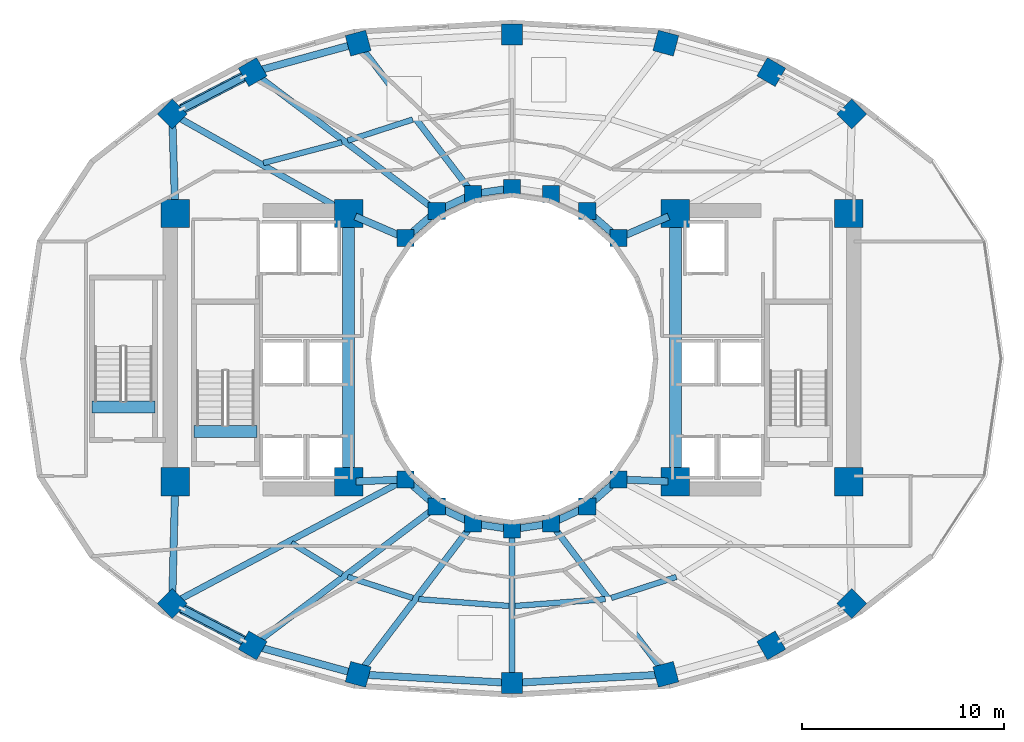
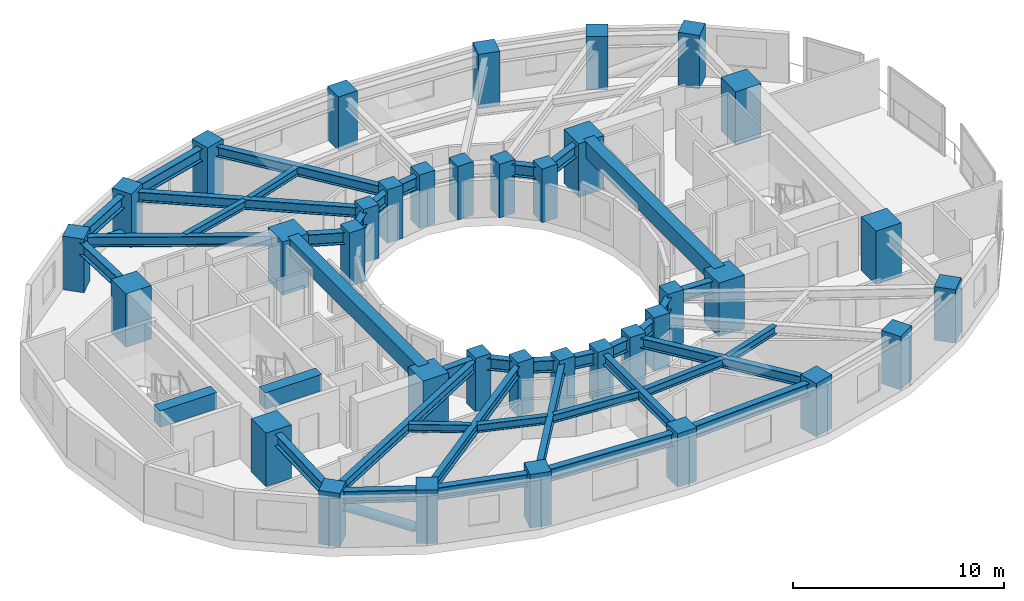
# One storey, part 1 of 13: 41 beams, 36 columns, 2 members.
"""IFC4 building model written with IfcOpenShell, lengths in metres."""

from ifc_helpers import new_model, si_unit, direction, frame, origin, origin_2d, place, context, subcontext, project, spatial, rectangle, hollow_circle, i_section, extrude, material, material_profile, profile_set, type_object, element, save


model = new_model("IFC4")

# Units and contexts
model_context = context("Model", 3, precision=1e-05, world=origin(), true_north=direction((0.0, 1.0)))
body_context = subcontext(model_context, "Body", "Model", "MODEL_VIEW")
ifc_project = project(units=[si_unit("LENGTHUNIT", "METRE"), si_unit("AREAUNIT", "SQUARE_METRE"), si_unit("VOLUMEUNIT", "CUBIC_METRE"), si_unit("PLANEANGLEUNIT", "RADIAN"), si_unit("MASSUNIT", "GRAM", prefix="KILO")], contexts=[model_context])

# Site, building, storey
site_placement = place(None, origin())
site = spatial("IfcSite", under=ifc_project, at=site_placement, CompositionType="ELEMENT")
building_placement = place(site_placement, origin())
building = spatial("IfcBuilding", under=site, at=building_placement, Name="Solvane Sanctuary Tower", CompositionType="ELEMENT")
storey_placement = place(building_placement, frame((0.0, 0.0, 85.60009765625)))
storey = spatial("IfcBuildingStorey", under=building, at=storey_placement, Name="L25", CompositionType="ELEMENT", Elevation=85.60009765625)

# Columns
ifc_material_1 = material(Name="Concrete C70/85", Category="concrete")
ifc_material_profile_1 = material_profile(ifc_material_1, rectangle(XDim=1.39990234375, YDim=1.39990234375, at=origin_2d()), Name="RC1400X1400")
ifc_profile_set_1 = profile_set([ifc_material_profile_1], Name="Concrete C70/85")
column_type_1 = type_object("IfcColumnType", Name="Column C-POD-INT RC1400X1400", PredefinedType="COLUMN", material=ifc_profile_set_1)
for number, where, z_axis, x_axis, name in (
    (1, (15.300048828125, 16.89990234375, 0.0), (0.0, 0.0, 1.0), (1.0, 0.0, 0.0), "L25 Core Corner Column CW1"),
    (2, (23.89990234375, 16.89990234375, 0.0), (0.0, 0.0, 1.0), (1.0, 0.0, 0.0), "L25 Core Corner Column CW2"),
    (3, (23.89990234375, 30.199951171875, 0.0), (0.0, 0.0, 1.0), (1.0, 0.0, 0.0), "L25 Core Corner Column CW3"),
    (4, (15.300048828125, 30.199951171875, 0.0), (0.0, 0.0, 1.0), (1.0, 0.0, 0.0), "L25 Core Corner Column CW4"),
    (5, (40.10009765625, 16.89990234375, 0.0), (0.0, 0.0, 1.0), (1.0, 0.0, 0.0), "L25 Core Corner Column CE1"),
    (6, (48.699951171875, 16.89990234375, 0.0), (0.0, 0.0, 1.0), (1.0, 0.0, 0.0), "L25 Core Corner Column CE2"),
    (7, (48.699951171875, 30.199951171875, 0.0), (0.0, 0.0, 1.0), (1.0, 0.0, 0.0), "L25 Core Corner Column CE3"),
    (8, (40.10009765625, 30.199951171875, 0.0), (0.0, 0.0, 1.0), (1.0, 0.0, 0.0), "L25 Core Corner Column CE4"),
):
    element("IfcColumn", number, at=place(storey_placement, frame(where, z_axis=z_axis, x_axis=x_axis)), inside=storey, type_object=column_type_1, Name=name, PredefinedType="COLUMN", context=body_context, shape_type="SweptSolid", body=[
        extrude(rectangle(XDim=1.39990234375, YDim=1.39990234375, at=origin_2d()), origin(), (0.0, 0.0, 1.0), 3.099853515625),
    ])
ifc_material_2 = material(Name="Concrete C60/75", Category="concrete")
ifc_material_profile_2 = material_profile(ifc_material_2, rectangle(XDim=0.85009765625, YDim=0.85009765625, at=origin_2d()), Name="RC850X850")
ifc_profile_set_2 = profile_set([ifc_material_profile_2], Name="Concrete C60/75")
column_type_2 = type_object("IfcColumnType", Name="Column C-RING-Z2 RC850X850", PredefinedType="COLUMN", material=ifc_profile_set_2)
for number, where, z_axis, x_axis, name in (
    (9, (37.27490234375, 28.982177734375, 0.0), (0.0, 0.0, 1.0), (1.0, 0.0, 0.0), "L25 Inner Light-Well Ring Column IC01"),
    (10, (35.72998046875, 30.32666015625, 0.0), (0.0, 0.0, 1.0), (1.0, 0.0, 0.0), "L25 Inner Light-Well Ring Column IC02"),
    (11, (33.930908203125, 31.171630859375, 0.0), (0.0, 0.0, 1.0), (1.0, 0.0, 0.0), "L25 Inner Light-Well Ring Column IC03"),
    (12, (32.0, 31.4599609375, 0.0), (0.0, 0.0, 1.0), (1.0, 0.0, 0.0), "L25 Inner Light-Well Ring Column IC04"),
    (13, (30.069091796875, 31.171630859375, 0.0), (0.0, 0.0, 1.0), (1.0, 0.0, 0.0), "L25 Inner Light-Well Ring Column IC05"),
    (14, (28.27001953125, 30.32666015625, 0.0), (0.0, 0.0, 1.0), (1.0, 0.0, 0.0), "L25 Inner Light-Well Ring Column IC06"),
    (15, (26.72509765625, 28.982177734375, 0.0), (0.0, 0.0, 1.0), (1.0, 0.0, 0.0), "L25 Inner Light-Well Ring Column IC07"),
    (16, (26.72509765625, 17.017822265625, 0.0), (0.0, 0.0, 1.0), (1.0, 0.0, 0.0), "L25 Inner Light-Well Ring Column IC08"),
    (17, (28.27001953125, 15.67333984375, 0.0), (0.0, 0.0, 1.0), (1.0, 0.0, 0.0), "L25 Inner Light-Well Ring Column IC09"),
    (18, (30.069091796875, 14.828369140625, 0.0), (0.0, 0.0, 1.0), (1.0, 0.0, 0.0), "L25 Inner Light-Well Ring Column IC10"),
    (19, (32.0, 14.5400390625, 0.0), (0.0, 0.0, 1.0), (1.0, 0.0, 0.0), "L25 Inner Light-Well Ring Column IC11"),
    (20, (33.930908203125, 14.828369140625, 0.0), (0.0, 0.0, 1.0), (1.0, 0.0, 0.0), "L25 Inner Light-Well Ring Column IC12"),
    (21, (35.72998046875, 15.67333984375, 0.0), (0.0, 0.0, 1.0), (1.0, 0.0, 0.0), "L25 Inner Light-Well Ring Column IC13"),
    (22, (37.27490234375, 17.017822265625, 0.0), (0.0, 0.0, 1.0), (1.0, 0.0, 0.0), "L25 Inner Light-Well Ring Column IC14"),
):
    element("IfcColumn", number, at=place(storey_placement, frame(where, z_axis=z_axis, x_axis=x_axis)), inside=storey, type_object=column_type_2, Name=name, PredefinedType="COLUMN", context=body_context, shape_type="SweptSolid", body=[
        extrude(rectangle(XDim=0.85009765625, YDim=0.85009765625, at=origin_2d()), origin(), (0.0, 0.0, 1.0), 3.099853515625),
    ])
ifc_material_profile_3 = material_profile(ifc_material_2, rectangle(XDim=1.050048828125, YDim=1.050048828125, at=origin_2d()), Name="RC1050X1050")
ifc_profile_set_3 = profile_set([ifc_material_profile_3], Name="Concrete C60/75")
column_type_3 = type_object("IfcColumnType", Name="Column C-TUBE-Z2 RC1050X1050", PredefinedType="COLUMN", material=ifc_profile_set_3)
for number, where, z_axis, x_axis, name in (
    (23, (48.85302734375, 35.13818359375, 0.0), (0.0, 0.0, 1.0), (0.707106781187, 0.707106781187, 0.0), "L25 Perimeter Tube Column TC01"),
    (24, (44.8583984375, 37.217529296875, 0.0), (0.0, 0.0, 1.0), (0.5, 0.866025403784, 0.0), "L25 Perimeter Tube Column TC02"),
    (25, (39.62939453125, 38.652099609375, 0.0), (0.0, 0.0, 1.0), (0.258819045103, 0.965925826289, 0.0), "L25 Perimeter Tube Column TC03"),
    (26, (32.0, 39.080078125, 0.0), (0.0, 0.0, 1.0), (0.0, 1.0, 0.0), "L25 Perimeter Tube Column TC04"),
    (27, (24.37060546875, 38.652099609375, 0.0), (0.0, 0.0, 1.0), (-0.258819045103, 0.965925826289, 0.0), "L25 Perimeter Tube Column TC05"),
    (28, (19.1416015625, 37.217529296875, 0.0), (0.0, 0.0, 1.0), (-0.5, 0.866025403784, 0.0), "L25 Perimeter Tube Column TC06"),
    (29, (15.14697265625, 35.13818359375, 0.0), (0.0, 0.0, 1.0), (-0.707106781187, 0.707106781187, 0.0), "L25 Perimeter Tube Column TC07"),
    (30, (15.14697265625, 10.86181640625, 0.0), (0.0, 0.0, 1.0), (-0.707106781187, -0.707106781187, 0.0), "L25 Perimeter Tube Column TC08"),
    (31, (19.1416015625, 8.782470703125, 0.0), (0.0, 0.0, 1.0), (-0.5, -0.866025403784, 0.0), "L25 Perimeter Tube Column TC09"),
    (32, (24.37060546875, 7.347900390625, 0.0), (0.0, 0.0, 1.0), (-0.258819045103, -0.965925826289, 0.0), "L25 Perimeter Tube Column TC10"),
    (33, (32.0, 6.919921875, 0.0), (0.0, 0.0, 1.0), (0.0, -1.0, 0.0), "L25 Perimeter Tube Column TC11"),
    (34, (39.62939453125, 7.347900390625, 0.0), (0.0, 0.0, 1.0), (0.258819045103, -0.965925826289, 0.0), "L25 Perimeter Tube Column TC12"),
    (35, (44.8583984375, 8.782470703125, 0.0), (0.0, 0.0, 1.0), (0.5, -0.866025403784, 0.0), "L25 Perimeter Tube Column TC13"),
    (36, (48.85302734375, 10.86181640625, 0.0), (0.0, 0.0, 1.0), (0.707106781187, -0.707106781187, 0.0), "L25 Perimeter Tube Column TC14"),
):
    element("IfcColumn", number, at=place(storey_placement, frame(where, z_axis=z_axis, x_axis=x_axis)), inside=storey, type_object=column_type_3, Name=name, PredefinedType="COLUMN", context=body_context, shape_type="SweptSolid", body=[
        extrude(rectangle(XDim=1.050048828125, YDim=1.050048828125, at=origin_2d()), origin(), (0.0, 0.0, 1.0), 3.099853515625),
    ])

# Beams
ifc_material_profile_4 = material_profile(ifc_material_1, rectangle(XDim=0.60009765625, YDim=0.949951171875, at=origin_2d()), Name="RC600X950")
ifc_profile_set_4 = profile_set([ifc_material_profile_4], Name="Concrete C70/85")
beam_type_1 = type_object("IfcBeamType", Name="Beam B-COUPLE RC600X950", PredefinedType="LINTEL", material=ifc_profile_set_4)
for number, where, z_axis, x_axis, name in (
    (37, (23.89990234375, 17.35009765625, 2.625), (0.0, 1.0, 0.0), (-1.0, 0.0, 0.0), "L25 West Core Coupling Lintel"),
    (38, (40.10009765625, 17.35009765625, 2.625), (0.0, 1.0, 0.0), (-1.0, 0.0, 0.0), "L25 East Core Coupling Lintel"),
):
    element("IfcBeam", number, at=place(storey_placement, frame(where, z_axis=z_axis, x_axis=x_axis)), inside=storey, type_object=beam_type_1, Name=name, PredefinedType="LINTEL", context=body_context, shape_type="SweptSolid", body=[
        extrude(rectangle(XDim=0.60009765625, YDim=0.949951171875, at=origin_2d()), origin(), (0.0, 0.0, 1.0), 12.39990234375),
    ])
for number, where, z_axis, x_axis, name in (
    (39, (16.22998046875, 19.399169921875, 2.625), (1.0, 0.0, 0.0), (0.0, 1.0, 0.0), "L25 ST-1 Stair Floor Landing Trimmer"),
    (40, (11.169921875, 20.59912109375, 2.625), (1.0, 0.0, 0.0), (0.0, 1.0, 0.0), "L25 ST-3 Stair Floor Landing Trimmer"),
):
    element("IfcBeam", number, at=place(storey_placement, frame(where, z_axis=z_axis, x_axis=x_axis)), inside=storey, type_object=beam_type_1, Name=name, PredefinedType="LINTEL", context=body_context, shape_type="SweptSolid", body=[
        extrude(rectangle(XDim=0.60009765625, YDim=0.949951171875, at=origin_2d()), origin(), (0.0, 0.0, 1.0), 3.1201171875),
    ])
ifc_material_3 = material(Name="Steel ASTM A992 Grade 50", Category="steel")
ifc_material_profile_5 = material_profile(ifc_material_3, i_section(OverallWidth=0.31494140625, OverallDepth=0.575927734375, WebThickness=0.01513671875, FlangeThickness=0.0244140625, FilletRadius=0.014892578125, at=origin_2d()), Name="W21X122")
ifc_profile_set_5 = profile_set([ifc_material_profile_5], Name="Steel ASTM A992 Grade 50")
beam_type_2 = type_object("IfcBeamType", Name="Beam B-RAD-Z2 W21X122", PredefinedType="BEAM", material=ifc_profile_set_5)
beam_1_placement = place(storey_placement, frame((29.8994140625, 31.394287109375, 2.58984375), z_axis=(-0.605972515369, 0.795485581653, 0.0), x_axis=(-0.795485581653, -0.605972515369, 0.0)))
element("IfcBeam", 41, at=beam_1_placement, inside=storey, type_object=beam_type_2, Name="L25 Radial Composite Floor Beam 05", PredefinedType="BEAM", context=body_context, shape_type="SweptSolid", body=[
    extrude(i_section(OverallWidth=0.31494140625, OverallDepth=0.575927734375, WebThickness=0.01513671875, FlangeThickness=0.0244140625, FilletRadius=0.014892578125, at=origin_2d()), origin(), (0.0, 0.0, 1.0), 8.84375),
])
beam_2_placement = place(storey_placement, frame((28.04638671875, 30.495361328125, 2.58984375), z_axis=(-0.798116040134, 0.602503764703, 0.0), x_axis=(-0.602503764703, -0.798116040134, 0.0)))
element("IfcBeam", 42, at=beam_2_placement, inside=storey, type_object=beam_type_2, Name="L25 Radial Composite Floor Beam 06", PredefinedType="BEAM", context=body_context, shape_type="SweptSolid", body=[
    extrude(i_section(OverallWidth=0.31494140625, OverallDepth=0.575927734375, WebThickness=0.01513671875, FlangeThickness=0.0244140625, FilletRadius=0.014892578125, at=origin_2d()), origin(), (0.0, 0.0, 1.0), 10.876953125),
])
beam_3_placement = place(storey_placement, frame((23.58642578125, 30.376953125, 2.58984375), z_axis=(-0.870960247151, 0.491353485673, 0.0), x_axis=(-0.491353485673, -0.870960247151, 0.0)))
element("IfcBeam", 43, at=beam_3_placement, inside=storey, type_object=beam_type_2, Name="L25 Radial Composite Floor Beam 07", PredefinedType="BEAM", context=body_context, shape_type="SweptSolid", body=[
    extrude(i_section(OverallWidth=0.31494140625, OverallDepth=0.575927734375, WebThickness=0.01513671875, FlangeThickness=0.0244140625, FilletRadius=0.014892578125, at=origin_2d()), origin(), (0.0, 0.0, 1.0), 9.409912109375),
])
beam_4_placement = place(storey_placement, frame((26.477783203125, 16.886474609375, 2.58984375), z_axis=(-0.882951984843, -0.469463302572, 0.0), x_axis=(0.469463302572, -0.882951984843, 0.0)))
element("IfcBeam", 44, at=beam_4_placement, inside=storey, type_object=beam_type_2, Name="L25 Radial Composite Floor Beam 08", PredefinedType="BEAM", context=body_context, shape_type="SweptSolid", body=[
    extrude(i_section(OverallWidth=0.31494140625, OverallDepth=0.575927734375, WebThickness=0.01513671875, FlangeThickness=0.0244140625, FilletRadius=0.014892578125, at=origin_2d()), origin(), (0.0, 0.0, 1.0), 12.552734375),
])
beam_5_placement = place(storey_placement, frame((28.04638671875, 15.504638671875, 2.58984375), z_axis=(-0.798116040134, -0.602503764703, 0.0), x_axis=(0.602503764703, -0.798116040134, 0.0)))
element("IfcBeam", 45, at=beam_5_placement, inside=storey, type_object=beam_type_2, Name="L25 Radial Composite Floor Beam 09", PredefinedType="BEAM", context=body_context, shape_type="SweptSolid", body=[
    extrude(i_section(OverallWidth=0.31494140625, OverallDepth=0.575927734375, WebThickness=0.01513671875, FlangeThickness=0.0244140625, FilletRadius=0.014892578125, at=origin_2d()), origin(), (0.0, 0.0, 1.0), 10.876953125),
])
beam_6_placement = place(storey_placement, frame((29.8994140625, 14.605712890625, 2.58984375), z_axis=(-0.605972515369, -0.795485581653, 0.0), x_axis=(0.795485581653, -0.605972515369, 0.0)))
element("IfcBeam", 46, at=beam_6_placement, inside=storey, type_object=beam_type_2, Name="L25 Radial Composite Floor Beam 10", PredefinedType="BEAM", context=body_context, shape_type="SweptSolid", body=[
    extrude(i_section(OverallWidth=0.31494140625, OverallDepth=0.575927734375, WebThickness=0.01513671875, FlangeThickness=0.0244140625, FilletRadius=0.014892578125, at=origin_2d()), origin(), (0.0, 0.0, 1.0), 8.84375),
])
beam_7_placement = place(storey_placement, frame((32.0, 14.260009765625, 2.58984375), z_axis=(0.0, -1.0, 0.0), x_axis=(1.0, 0.0, 0.0)))
element("IfcBeam", 47, at=beam_7_placement, inside=storey, type_object=beam_type_2, Name="L25 Radial Composite Floor Beam 11", PredefinedType="BEAM", context=body_context, shape_type="SweptSolid", body=[
    extrude(i_section(OverallWidth=0.31494140625, OverallDepth=0.575927734375, WebThickness=0.01513671875, FlangeThickness=0.0244140625, FilletRadius=0.014892578125, at=origin_2d()), origin(), (0.0, 0.0, 1.0), 7.06005859375),
])
beam_8_placement = place(storey_placement, frame((34.1005859375, 14.605712890625, 2.58984375), z_axis=(0.605972515369, -0.795485581653, 0.0), x_axis=(0.795485581653, 0.605972515369, 0.0)))
element("IfcBeam", 48, at=beam_8_placement, inside=storey, type_object=beam_type_2, Name="L25 Radial Composite Floor Beam 12", PredefinedType="BEAM", context=body_context, shape_type="SweptSolid", body=[
    extrude(i_section(OverallWidth=0.31494140625, OverallDepth=0.575927734375, WebThickness=0.01513671875, FlangeThickness=0.0244140625, FilletRadius=0.014892578125, at=origin_2d()), origin(), (0.0, 0.0, 1.0), 8.84375),
])
ifc_material_profile_6 = material_profile(ifc_material_3, i_section(OverallWidth=0.35498046875, OverallDepth=0.695068359375, WebThickness=0.015380859375, FlangeThickness=0.02490234375, FilletRadius=0.01806640625, at=origin_2d()), Name="W27X146")
ifc_profile_set_6 = profile_set([ifc_material_profile_6], Name="Steel ASTM A992 Grade 50")
beam_type_3 = type_object("IfcBeamType", Name="Beam B-RING-IN1 W27X146", PredefinedType="BEAM", material=ifc_profile_set_6)
beam_9_placement = place(storey_placement, frame((24.230712890625, 30.0576171875, 2.530517578125), z_axis=(0.918261456479, -0.3959746173, 0.0), x_axis=(0.3959746173, 0.918261456479, 0.0)))
element("IfcBeam", 49, at=beam_9_placement, inside=storey, type_object=beam_type_3, Name="L25 Inner Light-Well Ring Beam CW3-IC07", PredefinedType="BEAM", context=body_context, shape_type="SweptSolid", body=[
    extrude(i_section(OverallWidth=0.35498046875, OverallDepth=0.695068359375, WebThickness=0.015380859375, FlangeThickness=0.02490234375, FilletRadius=0.01806640625, at=origin_2d()), origin(), (0.0, 0.0, 1.0), 2.3212890625),
])
beam_10_placement = place(storey_placement, frame((27.02294921875, 29.241455078125, 2.530517578125), z_axis=(0.754317177099, 0.656510164684, 0.0), x_axis=(-0.656510164684, 0.754317177099, 0.0)))
element("IfcBeam", 50, at=beam_10_placement, inside=storey, type_object=beam_type_3, Name="L25 Inner Light-Well Ring Beam IC07-IC06", PredefinedType="BEAM", context=body_context, shape_type="SweptSolid", body=[
    extrude(i_section(OverallWidth=0.35498046875, OverallDepth=0.695068359375, WebThickness=0.015380859375, FlangeThickness=0.02490234375, FilletRadius=0.01806640625, at=origin_2d()), origin(), (0.0, 0.0, 1.0), 1.258056640625),
])
beam_11_placement = place(storey_placement, frame((28.62744140625, 30.494384765625, 2.530517578125), z_axis=(0.905044882818, 0.425316070804, 0.0), x_axis=(-0.425316070804, 0.905044882818, 0.0)))
element("IfcBeam", 51, at=beam_11_placement, inside=storey, type_object=beam_type_3, Name="L25 Inner Light-Well Ring Beam IC06-IC05", PredefinedType="BEAM", context=body_context, shape_type="SweptSolid", body=[
    extrude(i_section(OverallWidth=0.35498046875, OverallDepth=0.695068359375, WebThickness=0.015380859375, FlangeThickness=0.02490234375, FilletRadius=0.01806640625, at=origin_2d()), origin(), (0.0, 0.0, 1.0), 1.197998046875),
])
beam_12_placement = place(storey_placement, frame((30.4599609375, 31.22998046875, 2.530517578125), z_axis=(0.989034751611, 0.147682971619, 0.0), x_axis=(-0.147682971619, 0.989034751611, 0.0)))
element("IfcBeam", 52, at=beam_12_placement, inside=storey, type_object=beam_type_3, Name="L25 Inner Light-Well Ring Beam IC05-IC04", PredefinedType="BEAM", context=body_context, shape_type="SweptSolid", body=[
    extrude(i_section(OverallWidth=0.35498046875, OverallDepth=0.695068359375, WebThickness=0.015380859375, FlangeThickness=0.02490234375, FilletRadius=0.01806640625, at=origin_2d()), origin(), (0.0, 0.0, 1.0), 1.162109375),
])
beam_13_placement = place(storey_placement, frame((36.028076171875, 30.0673828125, 2.530517578125), z_axis=(0.754317177099, -0.656510164684, 0.0), x_axis=(0.656510164684, 0.754317177099, 0.0)))
element("IfcBeam", 53, at=beam_13_placement, inside=storey, type_object=beam_type_3, Name="L25 Inner Light-Well Ring Beam IC02-IC01", PredefinedType="BEAM", context=body_context, shape_type="SweptSolid", body=[
    extrude(i_section(OverallWidth=0.35498046875, OverallDepth=0.695068359375, WebThickness=0.015380859375, FlangeThickness=0.02490234375, FilletRadius=0.01806640625, at=origin_2d()), origin(), (0.0, 0.0, 1.0), 1.258056640625),
])
beam_14_placement = place(storey_placement, frame((37.6376953125, 29.138427734375, 2.530517578125), z_axis=(0.918261456479, 0.3959746173, 0.0), x_axis=(-0.3959746173, 0.918261456479, 0.0)))
element("IfcBeam", 54, at=beam_14_placement, inside=storey, type_object=beam_type_3, Name="L25 Inner Light-Well Ring Beam IC01-CE4", PredefinedType="BEAM", context=body_context, shape_type="SweptSolid", body=[
    extrude(i_section(OverallWidth=0.35498046875, OverallDepth=0.695068359375, WebThickness=0.015380859375, FlangeThickness=0.02490234375, FilletRadius=0.01806640625, at=origin_2d()), origin(), (0.0, 0.0, 1.0), 2.3212890625),
])
beam_15_placement = place(storey_placement, frame((24.259765625, 16.9150390625, 2.530517578125), z_axis=(0.999130007788, 0.041704047018, 0.0), x_axis=(-0.041704047018, 0.999130007788, 0.0)))
element("IfcBeam", 55, at=beam_15_placement, inside=storey, type_object=beam_type_3, Name="L25 Inner Light-Well Ring Beam CW2-IC08", PredefinedType="BEAM", context=body_context, shape_type="SweptSolid", body=[
    extrude(i_section(OverallWidth=0.35498046875, OverallDepth=0.695068359375, WebThickness=0.015380859375, FlangeThickness=0.02490234375, FilletRadius=0.01806640625, at=origin_2d()), origin(), (0.0, 0.0, 1.0), 2.072265625),
])
beam_16_placement = place(storey_placement, frame((27.02294921875, 16.758544921875, 2.530517578125), z_axis=(0.754317177099, -0.656510164684, 0.0), x_axis=(0.656510164684, 0.754317177099, 0.0)))
element("IfcBeam", 56, at=beam_16_placement, inside=storey, type_object=beam_type_3, Name="L25 Inner Light-Well Ring Beam IC08-IC09", PredefinedType="BEAM", context=body_context, shape_type="SweptSolid", body=[
    extrude(i_section(OverallWidth=0.35498046875, OverallDepth=0.695068359375, WebThickness=0.015380859375, FlangeThickness=0.02490234375, FilletRadius=0.01806640625, at=origin_2d()), origin(), (0.0, 0.0, 1.0), 1.258056640625),
])
beam_17_placement = place(storey_placement, frame((28.62744140625, 15.505615234375, 2.530517578125), z_axis=(0.905044882818, -0.425316070804, 0.0), x_axis=(0.425316070804, 0.905044882818, 0.0)))
element("IfcBeam", 57, at=beam_17_placement, inside=storey, type_object=beam_type_3, Name="L25 Inner Light-Well Ring Beam IC09-IC10", PredefinedType="BEAM", context=body_context, shape_type="SweptSolid", body=[
    extrude(i_section(OverallWidth=0.35498046875, OverallDepth=0.695068359375, WebThickness=0.015380859375, FlangeThickness=0.02490234375, FilletRadius=0.01806640625, at=origin_2d()), origin(), (0.0, 0.0, 1.0), 1.197998046875),
])
for number, where, z_axis, x_axis, name in (
    (58, (30.4599609375, 14.77001953125, 2.530517578125), (0.989034751611, -0.147682971619, 0.0), (0.147682971619, 0.989034751611, 0.0), "L25 Inner Light-Well Ring Beam IC10-IC11"),
    (59, (32.390625, 14.598388671875, 2.530517578125), (0.989034751611, 0.147682971619, 0.0), (-0.147682971619, 0.989034751611, 0.0), "L25 Inner Light-Well Ring Beam IC11-IC12"),
):
    element("IfcBeam", number, at=place(storey_placement, frame(where, z_axis=z_axis, x_axis=x_axis)), inside=storey, type_object=beam_type_3, Name=name, PredefinedType="BEAM", context=body_context, shape_type="SweptSolid", body=[
        extrude(i_section(OverallWidth=0.35498046875, OverallDepth=0.695068359375, WebThickness=0.015380859375, FlangeThickness=0.02490234375, FilletRadius=0.01806640625, at=origin_2d()), origin(), (0.0, 0.0, 1.0), 1.162109375),
    ])
beam_18_placement = place(storey_placement, frame((34.288330078125, 14.99609375, 2.530517578125), z_axis=(0.905044882818, 0.425316070804, 0.0), x_axis=(-0.425316070804, 0.905044882818, 0.0)))
element("IfcBeam", 60, at=beam_18_placement, inside=storey, type_object=beam_type_3, Name="L25 Inner Light-Well Ring Beam IC12-IC13", PredefinedType="BEAM", context=body_context, shape_type="SweptSolid", body=[
    extrude(i_section(OverallWidth=0.35498046875, OverallDepth=0.695068359375, WebThickness=0.015380859375, FlangeThickness=0.02490234375, FilletRadius=0.01806640625, at=origin_2d()), origin(), (0.0, 0.0, 1.0), 1.197998046875),
])
beam_19_placement = place(storey_placement, frame((36.028076171875, 15.9326171875, 2.530517578125), z_axis=(0.754317177099, 0.656510164684, 0.0), x_axis=(-0.656510164684, 0.754317177099, 0.0)))
element("IfcBeam", 61, at=beam_19_placement, inside=storey, type_object=beam_type_3, Name="L25 Inner Light-Well Ring Beam IC13-IC14", PredefinedType="BEAM", context=body_context, shape_type="SweptSolid", body=[
    extrude(i_section(OverallWidth=0.35498046875, OverallDepth=0.695068359375, WebThickness=0.015380859375, FlangeThickness=0.02490234375, FilletRadius=0.01806640625, at=origin_2d()), origin(), (0.0, 0.0, 1.0), 1.258056640625),
])
beam_20_placement = place(storey_placement, frame((37.669677734375, 17.00146484375, 2.530517578125), z_axis=(0.999130007788, -0.041704047018, 0.0), x_axis=(0.041704047018, 0.999130007788, 0.0)))
element("IfcBeam", 62, at=beam_20_placement, inside=storey, type_object=beam_type_3, Name="L25 Inner Light-Well Ring Beam IC14-CE1", PredefinedType="BEAM", context=body_context, shape_type="SweptSolid", body=[
    extrude(i_section(OverallWidth=0.35498046875, OverallDepth=0.695068359375, WebThickness=0.015380859375, FlangeThickness=0.02490234375, FilletRadius=0.01806640625, at=origin_2d()), origin(), (0.0, 0.0, 1.0), 2.072265625),
])
ifc_material_profile_7 = material_profile(ifc_material_3, i_section(OverallWidth=0.280029296875, OverallDepth=0.462890625, WebThickness=0.0107421875, FlangeThickness=0.017333984375, FilletRadius=0.013916015625, at=origin_2d()), Name="W18X76")
ifc_profile_set_7 = profile_set([ifc_material_profile_7], Name="Steel ASTM A992 Grade 50")
beam_type_4 = type_object("IfcBeamType", Name="Beam B-SEC-JOIST W18X76", PredefinedType="JOIST", material=ifc_profile_set_7)
beam_21_placement = place(storey_placement, frame((19.6708984375, 32.7080078125, 2.646484375), z_axis=(0.966943832831, 0.2549894589, 0.0), x_axis=(-0.2549894589, 0.966943832831, 0.0)))
element("IfcBeam", 63, at=beam_21_placement, inside=storey, type_object=beam_type_4, Name="L25 Secondary Circumferential Joist 07-06", PredefinedType="JOIST", context=body_context, shape_type="SweptSolid", body=[
    extrude(i_section(OverallWidth=0.280029296875, OverallDepth=0.462890625, WebThickness=0.0107421875, FlangeThickness=0.017333984375, FilletRadius=0.013916015625, at=origin_2d()), origin(), (0.0, 0.0, 1.0), 4.020263671875),
])
beam_22_placement = place(storey_placement, frame((23.850830078125, 33.819091796875, 2.646484375), z_axis=(0.951216534175, 0.308524075416, 0.0), x_axis=(-0.308524075416, 0.951216534175, 0.0)))
element("IfcBeam", 64, at=beam_22_placement, inside=storey, type_object=beam_type_4, Name="L25 Secondary Circumferential Joist 06-05", PredefinedType="JOIST", context=body_context, shape_type="SweptSolid", body=[
    extrude(i_section(OverallWidth=0.280029296875, OverallDepth=0.462890625, WebThickness=0.0107421875, FlangeThickness=0.017333984375, FilletRadius=0.013916015625, at=origin_2d()), origin(), (0.0, 0.0, 1.0), 3.38916015625),
])
beam_23_placement = place(storey_placement, frame((21.065673828125, 13.859619140625, 2.646484375), z_axis=(0.85065981691, -0.525716535687, 0.0), x_axis=(0.525716535687, 0.85065981691, 0.0)))
element("IfcBeam", 65, at=beam_23_placement, inside=storey, type_object=beam_type_4, Name="L25 Secondary Circumferential Joist 08-09", PredefinedType="JOIST", context=body_context, shape_type="SweptSolid", body=[
    extrude(i_section(OverallWidth=0.280029296875, OverallDepth=0.462890625, WebThickness=0.0107421875, FlangeThickness=0.017333984375, FilletRadius=0.013916015625, at=origin_2d()), origin(), (0.0, 0.0, 1.0), 2.951171875),
])
beam_24_placement = place(storey_placement, frame((23.850830078125, 12.180908203125, 2.646484375), z_axis=(0.951216534175, -0.308524075416, 0.0), x_axis=(0.308524075416, 0.951216534175, 0.0)))
element("IfcBeam", 66, at=beam_24_placement, inside=storey, type_object=beam_type_4, Name="L25 Secondary Circumferential Joist 09-10", PredefinedType="JOIST", context=body_context, shape_type="SweptSolid", body=[
    extrude(i_section(OverallWidth=0.280029296875, OverallDepth=0.462890625, WebThickness=0.0107421875, FlangeThickness=0.017333984375, FilletRadius=0.013916015625, at=origin_2d()), origin(), (0.0, 0.0, 1.0), 3.38916015625),
])
for number, where, z_axis, x_axis, name in (
    (67, (27.3720703125, 11.07666015625, 2.646484375), (0.997207316227, -0.074683120339, 0.0), (0.074683120339, 0.997207316227, 0.0), "L25 Secondary Circumferential Joist 10-11"),
    (68, (32.152099609375, 10.741455078125, 2.646484375), (0.997207316227, 0.074683120339, 0.0), (-0.074683120339, 0.997207316227, 0.0), "L25 Secondary Circumferential Joist 11-12"),
):
    element("IfcBeam", number, at=place(storey_placement, frame(where, z_axis=z_axis, x_axis=x_axis)), inside=storey, type_object=beam_type_4, Name=name, PredefinedType="JOIST", context=body_context, shape_type="SweptSolid", body=[
        extrude(i_section(OverallWidth=0.280029296875, OverallDepth=0.462890625, WebThickness=0.0107421875, FlangeThickness=0.017333984375, FilletRadius=0.013916015625, at=origin_2d()), origin(), (0.0, 0.0, 1.0), 4.48828125),
    ])
beam_25_placement = place(storey_placement, frame((36.92529296875, 11.13525390625, 2.646484375), z_axis=(0.951216534175, 0.308524075416, 0.0), x_axis=(-0.308524075416, 0.951216534175, 0.0)))
element("IfcBeam", 69, at=beam_25_placement, inside=storey, type_object=beam_type_4, Name="L25 Secondary Circumferential Joist 12-13", PredefinedType="JOIST", context=body_context, shape_type="SweptSolid", body=[
    extrude(i_section(OverallWidth=0.280029296875, OverallDepth=0.462890625, WebThickness=0.0107421875, FlangeThickness=0.017333984375, FilletRadius=0.013916015625, at=origin_2d()), origin(), (0.0, 0.0, 1.0), 3.38916015625),
])
ifc_material_profile_8 = material_profile(ifc_material_3, i_section(OverallWidth=0.35791015625, OverallDepth=0.7060546875, WebThickness=0.018310546875, FlangeThickness=0.0302734375, FilletRadius=0.01806640625, at=origin_2d()), Name="W27X178")
ifc_profile_set_8 = profile_set([ifc_material_profile_8], Name="Steel ASTM A992 Grade 50")
beam_type_5 = type_object("IfcBeamType", Name="Beam B-SPAND-Z2 W27X178", PredefinedType="SPANDREL", material=ifc_profile_set_8)
beam_26_placement = place(storey_placement, frame((15.291259765625, 30.47998046875, 2.52490234375), z_axis=(-0.03093371985, 0.999521437977, 0.0), x_axis=(-0.999521437977, -0.03093371985, 0.0)))
element("IfcBeam", 70, at=beam_26_placement, inside=storey, type_object=beam_type_5, Name="L25 Perimeter Spandrel Beam CW4-TC07", PredefinedType="SPANDREL", context=body_context, shape_type="SweptSolid", body=[
    extrude(i_section(OverallWidth=0.35791015625, OverallDepth=0.7060546875, WebThickness=0.018310546875, FlangeThickness=0.0302734375, FilletRadius=0.01806640625, at=origin_2d()), origin(), (0.0, 0.0, 1.0), 4.38037109375),
])
beam_27_placement = place(storey_placement, frame((15.3955078125, 35.267333984375, 2.52490234375), z_axis=(0.887014995188, 0.461740618002, 0.0), x_axis=(-0.461740618002, 0.887014995188, 0.0)))
element("IfcBeam", 71, at=beam_27_placement, inside=storey, type_object=beam_type_5, Name="L25 Perimeter Spandrel Beam TC07-TC06", PredefinedType="SPANDREL", context=body_context, shape_type="SweptSolid", body=[
    extrude(i_section(OverallWidth=0.35791015625, OverallDepth=0.7060546875, WebThickness=0.018310546875, FlangeThickness=0.0302734375, FilletRadius=0.01806640625, at=origin_2d()), origin(), (0.0, 0.0, 1.0), 3.943359375),
])
beam_28_placement = place(storey_placement, frame((19.41162109375, 37.29150390625, 2.52490234375), z_axis=(0.964367605241, 0.26456591232, 0.0), x_axis=(-0.26456591232, 0.964367605241, 0.0)))
element("IfcBeam", 72, at=beam_28_placement, inside=storey, type_object=beam_type_5, Name="L25 Perimeter Spandrel Beam TC06-TC05", PredefinedType="SPANDREL", context=body_context, shape_type="SweptSolid", body=[
    extrude(i_section(OverallWidth=0.35791015625, OverallDepth=0.7060546875, WebThickness=0.018310546875, FlangeThickness=0.0302734375, FilletRadius=0.01806640625, at=origin_2d()), origin(), (0.0, 0.0, 1.0), 4.8623046875),
])
beam_29_placement = place(storey_placement, frame((15.29296875, 16.6201171875, 2.52490234375), z_axis=(-0.025349487585, -0.999678650107, 0.0), x_axis=(0.999678650107, -0.025349487585, 0.0)))
element("IfcBeam", 73, at=beam_29_placement, inside=storey, type_object=beam_type_5, Name="L25 Perimeter Spandrel Beam CW1-TC08", PredefinedType="SPANDREL", context=body_context, shape_type="SweptSolid", body=[
    extrude(i_section(OverallWidth=0.35791015625, OverallDepth=0.7060546875, WebThickness=0.018310546875, FlangeThickness=0.0302734375, FilletRadius=0.01806640625, at=origin_2d()), origin(), (0.0, 0.0, 1.0), 5.47998046875),
])
beam_30_placement = place(storey_placement, frame((15.3955078125, 10.732666015625, 2.52490234375), z_axis=(0.887014995188, -0.461740618002, 0.0), x_axis=(0.461740618002, 0.887014995188, 0.0)))
element("IfcBeam", 74, at=beam_30_placement, inside=storey, type_object=beam_type_5, Name="L25 Perimeter Spandrel Beam TC08-TC09", PredefinedType="SPANDREL", context=body_context, shape_type="SweptSolid", body=[
    extrude(i_section(OverallWidth=0.35791015625, OverallDepth=0.7060546875, WebThickness=0.018310546875, FlangeThickness=0.0302734375, FilletRadius=0.01806640625, at=origin_2d()), origin(), (0.0, 0.0, 1.0), 3.943359375),
])
beam_31_placement = place(storey_placement, frame((19.41162109375, 8.70849609375, 2.52490234375), z_axis=(0.964367605241, -0.26456591232, 0.0), x_axis=(0.26456591232, 0.964367605241, 0.0)))
element("IfcBeam", 75, at=beam_31_placement, inside=storey, type_object=beam_type_5, Name="L25 Perimeter Spandrel Beam TC09-TC10", PredefinedType="SPANDREL", context=body_context, shape_type="SweptSolid", body=[
    extrude(i_section(OverallWidth=0.35791015625, OverallDepth=0.7060546875, WebThickness=0.018310546875, FlangeThickness=0.0302734375, FilletRadius=0.01806640625, at=origin_2d()), origin(), (0.0, 0.0, 1.0), 4.8623046875),
])
for number, where, z_axis, x_axis, name in (
    (76, (24.650146484375, 7.332275390625, 2.52490234375), (0.998431364179, -0.055989383129, 0.0), (0.055989383129, 0.998431364179, 0.0), "L25 Perimeter Spandrel Beam TC10-TC11"),
    (77, (32.279541015625, 6.935791015625, 2.52490234375), (0.998431364179, 0.055989383129, 0.0), (-0.055989383129, 0.998431364179, 0.0), "L25 Perimeter Spandrel Beam TC11-TC12"),
):
    element("IfcBeam", number, at=place(storey_placement, frame(where, z_axis=z_axis, x_axis=x_axis)), inside=storey, type_object=beam_type_5, Name=name, PredefinedType="SPANDREL", context=body_context, shape_type="SweptSolid", body=[
        extrude(i_section(OverallWidth=0.35791015625, OverallDepth=0.7060546875, WebThickness=0.018310546875, FlangeThickness=0.0302734375, FilletRadius=0.01806640625, at=origin_2d()), origin(), (0.0, 0.0, 1.0), 7.081298828125),
    ])

# Members
ifc_material_profile_9 = material_profile(ifc_material_3, hollow_circle(Radius=0.25390625, WallThickness=0.01611328125, at=origin_2d()), Name="CHS508X16")
ifc_profile_set_9 = profile_set([ifc_material_profile_9], Name="Steel ASTM A992 Grade 50")
member_type = type_object("IfcMemberType", Name="Member M-TUBE-Z2 CHS508X16", PredefinedType="BRACE", material=ifc_profile_set_9)
for number, where, z_axis, x_axis, name in (
    (78, (18.667236328125, 36.970703125, 0.5927734375), (-0.824140553465, -0.429072126665, 0.369715374651), (0.461792399626, -0.886988038052, 0.0), "L25 Perimeter Braced-Tube Diagonal NW"),
    (79, (18.667236328125, 9.029296875, 0.5927734375), (-0.824140553465, 0.429072126665, 0.369715374651), (-0.461792399626, -0.886988038052, 0.0), "L25 Perimeter Braced-Tube Diagonal SW"),
):
    element("IfcMember", number, at=place(storey_placement, frame(where, z_axis=z_axis, x_axis=x_axis)), inside=storey, type_object=member_type, Name=name, PredefinedType="BRACE", context=body_context, shape_type="SweptSolid", body=[
        extrude(hollow_circle(Radius=0.25390625, WallThickness=0.01611328125, at=origin_2d()), origin(), (0.0, 0.0, 1.0), 3.6689453125),
    ])

save(model, "model.ifc")
